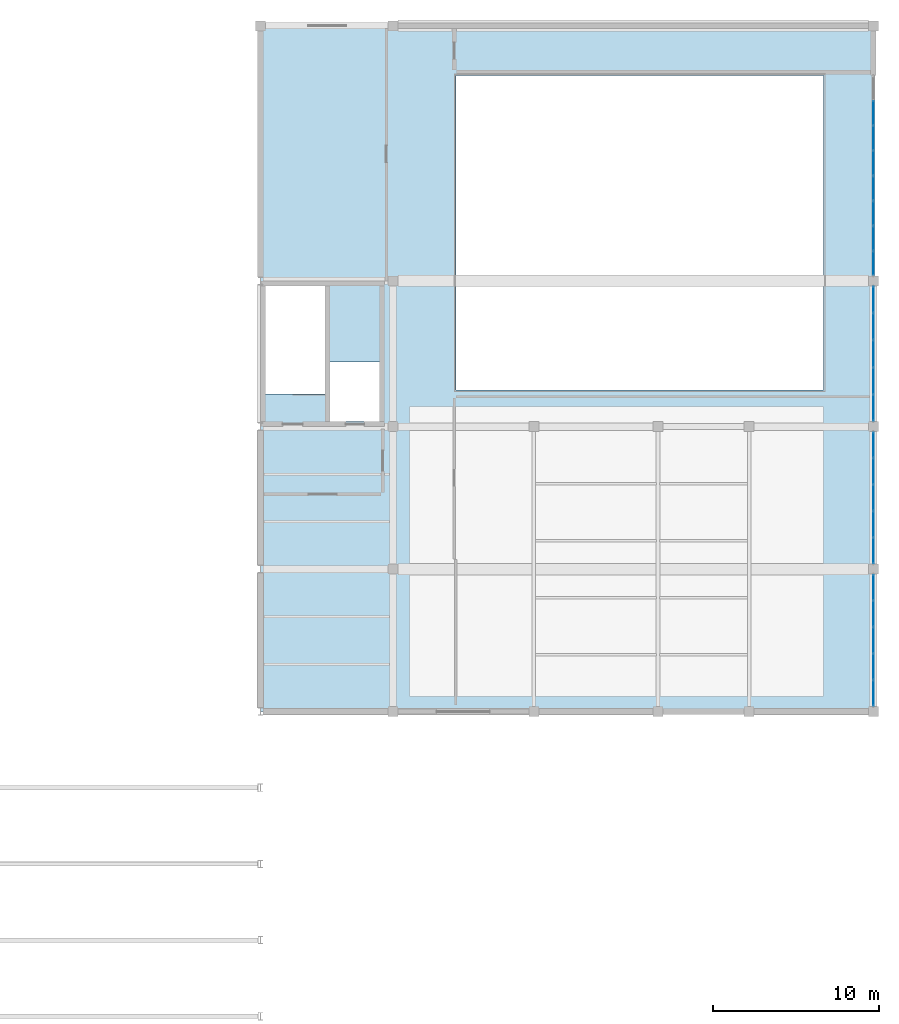
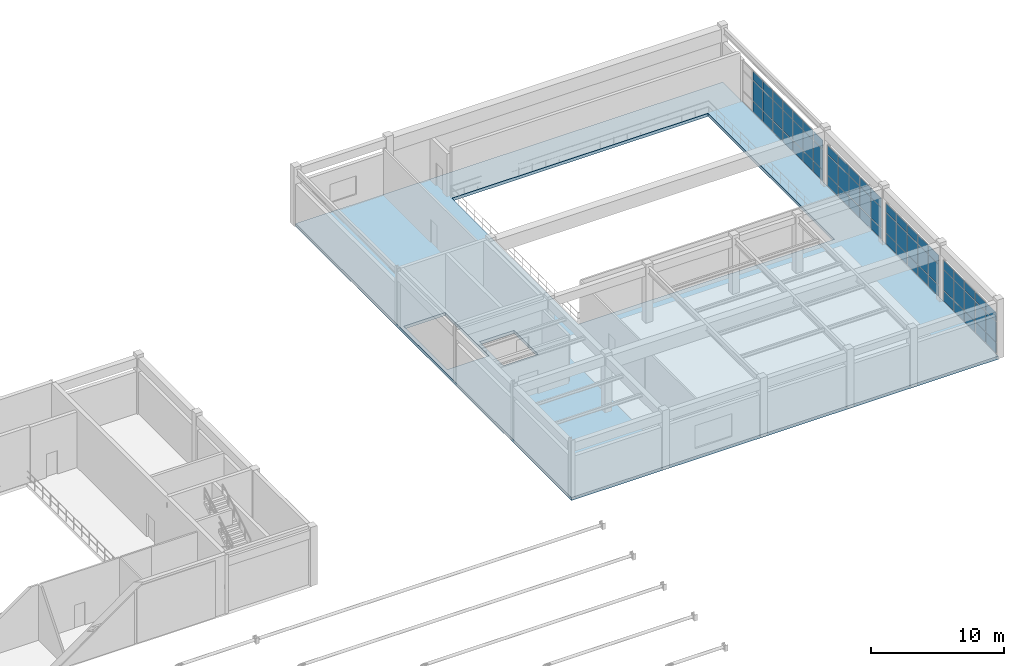
# One storey, part 21 of 38: 66 plates, 1 slab, 4 elements without a shape of their own.
"""IFC4 building model written with IfcOpenShell, lengths in metres."""

from ifc_helpers import new_model, si_unit, direction, frame, origin, origin_2d, place, context, subcontext, project, spatial, polyline, rectangle, outline, extrude, material, layer, layer_set, type_object, element, aggregate, save


model = new_model("IFC4")

# Units and contexts
model_context = context("Model", 3, precision=1e-05, world=origin(), true_north=direction((0.0, 1.0)))
body_context = subcontext(model_context, "Body", "Model", "MODEL_VIEW")
ifc_project = project(units=[si_unit("LENGTHUNIT", "METRE"), si_unit("AREAUNIT", "SQUARE_METRE"), si_unit("VOLUMEUNIT", "CUBIC_METRE"), si_unit("PLANEANGLEUNIT", "RADIAN"), si_unit("MASSUNIT", "GRAM", prefix="KILO")], contexts=[model_context])

# Site, building, storey
site_placement = place(None, origin())
site = spatial("IfcSite", under=ifc_project, at=site_placement, CompositionType="ELEMENT")
building_placement = place(site_placement, origin())
building = spatial("IfcBuilding", under=site, at=building_placement, Name="Muzn Square Opera House", CompositionType="ELEMENT")
storey_placement = place(building_placement, frame((0.0, 0.0, 18.0)))
storey = spatial("IfcBuildingStorey", under=building, at=storey_placement, Name="L04", CompositionType="ELEMENT", Elevation=18.0)

# Curtain wall, plates
ifc_material_1 = material(Name="Low-E laminated acoustic double glazing", Category="glass")
ifc_layer_1 = layer(ifc_material_1, 0.159912109375, Name="Low-E laminated acoustic double glazing", Category="glass")
ifc_layer_set_1 = layer_set([ifc_layer_1], Name="Low-E laminated acoustic double glazing")
curtain_wall_type_1 = type_object("IfcCurtainWallType", Name="Glazed Curtain Wall RehearsalEast 8000x3850", PredefinedType="USERDEFINED", material=ifc_layer_set_1)
curtain_wall_1_placement = place(storey_placement, origin())
curtain_wall_1 = element("IfcCurtainWall", 1, at=curtain_wall_1_placement, inside=storey, type_object=curtain_wall_type_1, Name="Glazed Curtain Wall CW-L04-130", ObjectType="GLAZED CURTAIN WALL", PredefinedType="USERDEFINED")
ifc_layer_2 = layer(ifc_material_1, 0.028076171875, Name="Low-E laminated acoustic double glazing", Category="glass")
ifc_layer_set_2 = layer_set([ifc_layer_2], Name="Low-E laminated acoustic double glazing")
plate_type = type_object("IfcPlateType", Name="Curtain Wall Acoustic Glazed Panel 28mm", PredefinedType="CURTAIN_PANEL", material=ifc_layer_set_2)
plate_1_placement = place(storey_placement, frame((170.0, 73.715087890625, 0.06005859375), z_axis=(0.0, 0.0, 1.0), x_axis=(0.0, 1.0, 0.0)))
plate_1 = element("IfcPlate", 2, at=plate_1_placement, type_object=plate_type, Name="CW-RHE-80x38 panel 1.1", PredefinedType="CURTAIN_PANEL", context=body_context, shape_type="SweptSolid", body=[
    extrude(rectangle(XDim=1.510009765625, YDim=0.028076171875, at=origin_2d()), origin(), (0.0, 0.0, 1.0), 0.9599609375),
])
plate_2_placement = place(storey_placement, frame((170.0, 73.715087890625, 1.080078125), z_axis=(0.0, 0.0, 1.0), x_axis=(0.0, 1.0, 0.0)))
plate_2 = element("IfcPlate", 3, at=plate_2_placement, type_object=plate_type, Name="CW-RHE-80x38 panel 1.2", PredefinedType="CURTAIN_PANEL", context=body_context, shape_type="SweptSolid", body=[
    extrude(rectangle(XDim=1.510009765625, YDim=0.028076171875, at=origin_2d()), origin(), (0.0, 0.0, 1.0), 1.840087890625),
])
plate_3_placement = place(storey_placement, frame((170.0, 73.715087890625, 2.97998046875), z_axis=(0.0, 0.0, 1.0), x_axis=(0.0, 1.0, 0.0)))
plate_3 = element("IfcPlate", 4, at=plate_3_placement, type_object=plate_type, Name="CW-RHE-80x38 panel 1.3", PredefinedType="CURTAIN_PANEL", context=body_context, shape_type="SweptSolid", body=[
    extrude(rectangle(XDim=1.510009765625, YDim=0.028076171875, at=origin_2d()), origin(), (0.0, 0.0, 1.0), 0.81005859375),
])
plate_4_placement = place(storey_placement, frame((170.0, 75.300048828125, 0.06005859375), z_axis=(0.0, 0.0, 1.0), x_axis=(0.0, 1.0, 0.0)))
plate_4 = element("IfcPlate", 5, at=plate_4_placement, type_object=plate_type, Name="CW-RHE-80x38 panel 2.1", PredefinedType="CURTAIN_PANEL", context=body_context, shape_type="SweptSolid", body=[
    extrude(rectangle(XDim=1.5400390625, YDim=0.028076171875, at=origin_2d()), origin(), (0.0, 0.0, 1.0), 0.9599609375),
])
plate_5_placement = place(storey_placement, frame((170.0, 75.300048828125, 1.080078125), z_axis=(0.0, 0.0, 1.0), x_axis=(0.0, 1.0, 0.0)))
plate_5 = element("IfcPlate", 6, at=plate_5_placement, type_object=plate_type, Name="CW-RHE-80x38 panel 2.2", PredefinedType="CURTAIN_PANEL", context=body_context, shape_type="SweptSolid", body=[
    extrude(rectangle(XDim=1.5400390625, YDim=0.028076171875, at=origin_2d()), origin(), (0.0, 0.0, 1.0), 1.840087890625),
])
plate_6_placement = place(storey_placement, frame((170.0, 75.300048828125, 2.97998046875), z_axis=(0.0, 0.0, 1.0), x_axis=(0.0, 1.0, 0.0)))
plate_6 = element("IfcPlate", 7, at=plate_6_placement, type_object=plate_type, Name="CW-RHE-80x38 panel 2.3", PredefinedType="CURTAIN_PANEL", context=body_context, shape_type="SweptSolid", body=[
    extrude(rectangle(XDim=1.5400390625, YDim=0.028076171875, at=origin_2d()), origin(), (0.0, 0.0, 1.0), 0.81005859375),
])
plate_7_placement = place(storey_placement, frame((170.0, 76.89990234375, 0.06005859375), z_axis=(0.0, 0.0, 1.0), x_axis=(0.0, 1.0, 0.0)))
plate_7 = element("IfcPlate", 8, at=plate_7_placement, type_object=plate_type, Name="CW-RHE-80x38 panel 3.1", PredefinedType="CURTAIN_PANEL", context=body_context, shape_type="SweptSolid", body=[
    extrude(rectangle(XDim=1.5400390625, YDim=0.028076171875, at=origin_2d()), origin(), (0.0, 0.0, 1.0), 0.9599609375),
])
plate_8_placement = place(storey_placement, frame((170.0, 76.89990234375, 1.080078125), z_axis=(0.0, 0.0, 1.0), x_axis=(0.0, 1.0, 0.0)))
plate_8 = element("IfcPlate", 9, at=plate_8_placement, type_object=plate_type, Name="CW-RHE-80x38 panel 3.2", PredefinedType="CURTAIN_PANEL", context=body_context, shape_type="SweptSolid", body=[
    extrude(rectangle(XDim=1.5400390625, YDim=0.028076171875, at=origin_2d()), origin(), (0.0, 0.0, 1.0), 1.840087890625),
])
plate_9_placement = place(storey_placement, frame((170.0, 76.89990234375, 2.97998046875), z_axis=(0.0, 0.0, 1.0), x_axis=(0.0, 1.0, 0.0)))
plate_9 = element("IfcPlate", 10, at=plate_9_placement, type_object=plate_type, Name="CW-RHE-80x38 panel 3.3", PredefinedType="CURTAIN_PANEL", context=body_context, shape_type="SweptSolid", body=[
    extrude(rectangle(XDim=1.5400390625, YDim=0.028076171875, at=origin_2d()), origin(), (0.0, 0.0, 1.0), 0.81005859375),
])
plate_10_placement = place(storey_placement, frame((170.0, 78.5, 0.06005859375), z_axis=(0.0, 0.0, 1.0), x_axis=(0.0, 1.0, 0.0)))
plate_10 = element("IfcPlate", 11, at=plate_10_placement, type_object=plate_type, Name="CW-RHE-80x38 panel 4.1", PredefinedType="CURTAIN_PANEL", context=body_context, shape_type="SweptSolid", body=[
    extrude(rectangle(XDim=1.5400390625, YDim=0.028076171875, at=origin_2d()), origin(), (0.0, 0.0, 1.0), 0.9599609375),
])
plate_11_placement = place(storey_placement, frame((170.0, 78.5, 1.080078125), z_axis=(0.0, 0.0, 1.0), x_axis=(0.0, 1.0, 0.0)))
plate_11 = element("IfcPlate", 12, at=plate_11_placement, type_object=plate_type, Name="CW-RHE-80x38 panel 4.2", PredefinedType="CURTAIN_PANEL", context=body_context, shape_type="SweptSolid", body=[
    extrude(rectangle(XDim=1.5400390625, YDim=0.028076171875, at=origin_2d()), origin(), (0.0, 0.0, 1.0), 1.840087890625),
])
plate_12_placement = place(storey_placement, frame((170.0, 78.5, 2.97998046875), z_axis=(0.0, 0.0, 1.0), x_axis=(0.0, 1.0, 0.0)))
plate_12 = element("IfcPlate", 13, at=plate_12_placement, type_object=plate_type, Name="CW-RHE-80x38 panel 4.3", PredefinedType="CURTAIN_PANEL", context=body_context, shape_type="SweptSolid", body=[
    extrude(rectangle(XDim=1.5400390625, YDim=0.028076171875, at=origin_2d()), origin(), (0.0, 0.0, 1.0), 0.81005859375),
])
plate_13_placement = place(storey_placement, frame((170.0, 80.0849609375, 0.06005859375), z_axis=(0.0, 0.0, 1.0), x_axis=(0.0, 1.0, 0.0)))
plate_13 = element("IfcPlate", 14, at=plate_13_placement, type_object=plate_type, Name="CW-RHE-80x38 panel 5.1", PredefinedType="CURTAIN_PANEL", context=body_context, shape_type="SweptSolid", body=[
    extrude(rectangle(XDim=1.510009765625, YDim=0.028076171875, at=origin_2d()), origin(), (0.0, 0.0, 1.0), 0.9599609375),
])
plate_14_placement = place(storey_placement, frame((170.0, 80.0849609375, 1.080078125), z_axis=(0.0, 0.0, 1.0), x_axis=(0.0, 1.0, 0.0)))
plate_14 = element("IfcPlate", 15, at=plate_14_placement, type_object=plate_type, Name="CW-RHE-80x38 panel 5.2", PredefinedType="CURTAIN_PANEL", context=body_context, shape_type="SweptSolid", body=[
    extrude(rectangle(XDim=1.510009765625, YDim=0.028076171875, at=origin_2d()), origin(), (0.0, 0.0, 1.0), 1.840087890625),
])
plate_15_placement = place(storey_placement, frame((170.0, 80.0849609375, 2.97998046875), z_axis=(0.0, 0.0, 1.0), x_axis=(0.0, 1.0, 0.0)))
plate_15 = element("IfcPlate", 16, at=plate_15_placement, type_object=plate_type, Name="CW-RHE-80x38 panel 5.3", PredefinedType="CURTAIN_PANEL", context=body_context, shape_type="SweptSolid", body=[
    extrude(rectangle(XDim=1.510009765625, YDim=0.028076171875, at=origin_2d()), origin(), (0.0, 0.0, 1.0), 0.81005859375),
])
aggregate(curtain_wall_1, [plate_1, plate_2, plate_3, plate_4, plate_5, plate_6, plate_7, plate_8, plate_9, plate_10, plate_11, plate_12, plate_13, plate_14, plate_15])

curtain_wall_2_placement = place(storey_placement, origin())
curtain_wall_2 = element("IfcCurtainWall", 17, at=curtain_wall_2_placement, inside=storey, type_object=curtain_wall_type_1, Name="Glazed Curtain Wall CW-L04-131", ObjectType="GLAZED CURTAIN WALL", PredefinedType="USERDEFINED")
plate_16_placement = place(storey_placement, frame((170.0, 82.31494140625, 0.06005859375), z_axis=(0.0, 0.0, 1.0), x_axis=(0.0, 1.0, 0.0)))
plate_16 = element("IfcPlate", 18, at=plate_16_placement, type_object=plate_type, Name="CW-RHE-80x38 panel 1.1", PredefinedType="CURTAIN_PANEL", context=body_context, shape_type="SweptSolid", body=[
    extrude(rectangle(XDim=1.510009765625, YDim=0.028076171875, at=origin_2d()), origin(), (0.0, 0.0, 1.0), 0.9599609375),
])
plate_17_placement = place(storey_placement, frame((170.0, 82.31494140625, 1.080078125), z_axis=(0.0, 0.0, 1.0), x_axis=(0.0, 1.0, 0.0)))
plate_17 = element("IfcPlate", 19, at=plate_17_placement, type_object=plate_type, Name="CW-RHE-80x38 panel 1.2", PredefinedType="CURTAIN_PANEL", context=body_context, shape_type="SweptSolid", body=[
    extrude(rectangle(XDim=1.510009765625, YDim=0.028076171875, at=origin_2d()), origin(), (0.0, 0.0, 1.0), 1.840087890625),
])
plate_18_placement = place(storey_placement, frame((170.0, 82.31494140625, 2.97998046875), z_axis=(0.0, 0.0, 1.0), x_axis=(0.0, 1.0, 0.0)))
plate_18 = element("IfcPlate", 20, at=plate_18_placement, type_object=plate_type, Name="CW-RHE-80x38 panel 1.3", PredefinedType="CURTAIN_PANEL", context=body_context, shape_type="SweptSolid", body=[
    extrude(rectangle(XDim=1.510009765625, YDim=0.028076171875, at=origin_2d()), origin(), (0.0, 0.0, 1.0), 0.81005859375),
])
plate_19_placement = place(storey_placement, frame((170.0, 83.89990234375, 0.06005859375), z_axis=(0.0, 0.0, 1.0), x_axis=(0.0, 1.0, 0.0)))
plate_19 = element("IfcPlate", 21, at=plate_19_placement, type_object=plate_type, Name="CW-RHE-80x38 panel 2.1", PredefinedType="CURTAIN_PANEL", context=body_context, shape_type="SweptSolid", body=[
    extrude(rectangle(XDim=1.5400390625, YDim=0.028076171875, at=origin_2d()), origin(), (0.0, 0.0, 1.0), 0.9599609375),
])
plate_20_placement = place(storey_placement, frame((170.0, 83.89990234375, 1.080078125), z_axis=(0.0, 0.0, 1.0), x_axis=(0.0, 1.0, 0.0)))
plate_20 = element("IfcPlate", 22, at=plate_20_placement, type_object=plate_type, Name="CW-RHE-80x38 panel 2.2", PredefinedType="CURTAIN_PANEL", context=body_context, shape_type="SweptSolid", body=[
    extrude(rectangle(XDim=1.5400390625, YDim=0.028076171875, at=origin_2d()), origin(), (0.0, 0.0, 1.0), 1.840087890625),
])
plate_21_placement = place(storey_placement, frame((170.0, 83.89990234375, 2.97998046875), z_axis=(0.0, 0.0, 1.0), x_axis=(0.0, 1.0, 0.0)))
plate_21 = element("IfcPlate", 23, at=plate_21_placement, type_object=plate_type, Name="CW-RHE-80x38 panel 2.3", PredefinedType="CURTAIN_PANEL", context=body_context, shape_type="SweptSolid", body=[
    extrude(rectangle(XDim=1.5400390625, YDim=0.028076171875, at=origin_2d()), origin(), (0.0, 0.0, 1.0), 0.81005859375),
])
plate_22_placement = place(storey_placement, frame((170.0, 85.5, 0.06005859375), z_axis=(0.0, 0.0, 1.0), x_axis=(0.0, 1.0, 0.0)))
plate_22 = element("IfcPlate", 24, at=plate_22_placement, type_object=plate_type, Name="CW-RHE-80x38 panel 3.1", PredefinedType="CURTAIN_PANEL", context=body_context, shape_type="SweptSolid", body=[
    extrude(rectangle(XDim=1.5400390625, YDim=0.028076171875, at=origin_2d()), origin(), (0.0, 0.0, 1.0), 0.9599609375),
])
plate_23_placement = place(storey_placement, frame((170.0, 85.5, 1.080078125), z_axis=(0.0, 0.0, 1.0), x_axis=(0.0, 1.0, 0.0)))
plate_23 = element("IfcPlate", 25, at=plate_23_placement, type_object=plate_type, Name="CW-RHE-80x38 panel 3.2", PredefinedType="CURTAIN_PANEL", context=body_context, shape_type="SweptSolid", body=[
    extrude(rectangle(XDim=1.5400390625, YDim=0.028076171875, at=origin_2d()), origin(), (0.0, 0.0, 1.0), 1.840087890625),
])
plate_24_placement = place(storey_placement, frame((170.0, 85.5, 2.97998046875), z_axis=(0.0, 0.0, 1.0), x_axis=(0.0, 1.0, 0.0)))
plate_24 = element("IfcPlate", 26, at=plate_24_placement, type_object=plate_type, Name="CW-RHE-80x38 panel 3.3", PredefinedType="CURTAIN_PANEL", context=body_context, shape_type="SweptSolid", body=[
    extrude(rectangle(XDim=1.5400390625, YDim=0.028076171875, at=origin_2d()), origin(), (0.0, 0.0, 1.0), 0.81005859375),
])
plate_25_placement = place(storey_placement, frame((170.0, 87.10009765625, 0.06005859375), z_axis=(0.0, 0.0, 1.0), x_axis=(0.0, 1.0, 0.0)))
plate_25 = element("IfcPlate", 27, at=plate_25_placement, type_object=plate_type, Name="CW-RHE-80x38 panel 4.1", PredefinedType="CURTAIN_PANEL", context=body_context, shape_type="SweptSolid", body=[
    extrude(rectangle(XDim=1.5400390625, YDim=0.028076171875, at=origin_2d()), origin(), (0.0, 0.0, 1.0), 0.9599609375),
])
plate_26_placement = place(storey_placement, frame((170.0, 87.10009765625, 1.080078125), z_axis=(0.0, 0.0, 1.0), x_axis=(0.0, 1.0, 0.0)))
plate_26 = element("IfcPlate", 28, at=plate_26_placement, type_object=plate_type, Name="CW-RHE-80x38 panel 4.2", PredefinedType="CURTAIN_PANEL", context=body_context, shape_type="SweptSolid", body=[
    extrude(rectangle(XDim=1.5400390625, YDim=0.028076171875, at=origin_2d()), origin(), (0.0, 0.0, 1.0), 1.840087890625),
])
plate_27_placement = place(storey_placement, frame((170.0, 87.10009765625, 2.97998046875), z_axis=(0.0, 0.0, 1.0), x_axis=(0.0, 1.0, 0.0)))
plate_27 = element("IfcPlate", 29, at=plate_27_placement, type_object=plate_type, Name="CW-RHE-80x38 panel 4.3", PredefinedType="CURTAIN_PANEL", context=body_context, shape_type="SweptSolid", body=[
    extrude(rectangle(XDim=1.5400390625, YDim=0.028076171875, at=origin_2d()), origin(), (0.0, 0.0, 1.0), 0.81005859375),
])
plate_28_placement = place(storey_placement, frame((170.0, 88.68505859375, 0.06005859375), z_axis=(0.0, 0.0, 1.0), x_axis=(0.0, 1.0, 0.0)))
plate_28 = element("IfcPlate", 30, at=plate_28_placement, type_object=plate_type, Name="CW-RHE-80x38 panel 5.1", PredefinedType="CURTAIN_PANEL", context=body_context, shape_type="SweptSolid", body=[
    extrude(rectangle(XDim=1.510009765625, YDim=0.028076171875, at=origin_2d()), origin(), (0.0, 0.0, 1.0), 0.9599609375),
])
plate_29_placement = place(storey_placement, frame((170.0, 88.68505859375, 1.080078125), z_axis=(0.0, 0.0, 1.0), x_axis=(0.0, 1.0, 0.0)))
plate_29 = element("IfcPlate", 31, at=plate_29_placement, type_object=plate_type, Name="CW-RHE-80x38 panel 5.2", PredefinedType="CURTAIN_PANEL", context=body_context, shape_type="SweptSolid", body=[
    extrude(rectangle(XDim=1.510009765625, YDim=0.028076171875, at=origin_2d()), origin(), (0.0, 0.0, 1.0), 1.840087890625),
])
plate_30_placement = place(storey_placement, frame((170.0, 88.68505859375, 2.97998046875), z_axis=(0.0, 0.0, 1.0), x_axis=(0.0, 1.0, 0.0)))
plate_30 = element("IfcPlate", 32, at=plate_30_placement, type_object=plate_type, Name="CW-RHE-80x38 panel 5.3", PredefinedType="CURTAIN_PANEL", context=body_context, shape_type="SweptSolid", body=[
    extrude(rectangle(XDim=1.510009765625, YDim=0.028076171875, at=origin_2d()), origin(), (0.0, 0.0, 1.0), 0.81005859375),
])
aggregate(curtain_wall_2, [plate_16, plate_17, plate_18, plate_19, plate_20, plate_21, plate_22, plate_23, plate_24, plate_25, plate_26, plate_27, plate_28, plate_29, plate_30])

ifc_layer_3 = layer(ifc_material_1, 0.159912109375, Name="Low-E laminated acoustic double glazing", Category="glass")
ifc_layer_set_3 = layer_set([ifc_layer_3], Name="Low-E laminated acoustic double glazing")
curtain_wall_type_2 = type_object("IfcCurtainWallType", Name="Glazed Curtain Wall RehearsalEast 8200x3850", PredefinedType="USERDEFINED", material=ifc_layer_set_3)
curtain_wall_3_placement = place(storey_placement, origin())
curtain_wall_3 = element("IfcCurtainWall", 33, at=curtain_wall_3_placement, inside=storey, type_object=curtain_wall_type_2, Name="Glazed Curtain Wall CW-L04-132", ObjectType="GLAZED CURTAIN WALL", PredefinedType="USERDEFINED")
plate_31_placement = place(storey_placement, frame((170.0, 90.93505859375, 0.06005859375), z_axis=(0.0, 0.0, 1.0), x_axis=(0.0, 1.0, 0.0)))
plate_31 = element("IfcPlate", 34, at=plate_31_placement, type_object=plate_type, Name="CW-RHE-82x38 panel 1.1", PredefinedType="CURTAIN_PANEL", context=body_context, shape_type="SweptSolid", body=[
    extrude(rectangle(XDim=1.550048828125, YDim=0.028076171875, at=origin_2d()), origin(), (0.0, 0.0, 1.0), 0.9599609375),
])
plate_32_placement = place(storey_placement, frame((170.0, 90.93505859375, 1.080078125), z_axis=(0.0, 0.0, 1.0), x_axis=(0.0, 1.0, 0.0)))
plate_32 = element("IfcPlate", 35, at=plate_32_placement, type_object=plate_type, Name="CW-RHE-82x38 panel 1.2", PredefinedType="CURTAIN_PANEL", context=body_context, shape_type="SweptSolid", body=[
    extrude(rectangle(XDim=1.550048828125, YDim=0.028076171875, at=origin_2d()), origin(), (0.0, 0.0, 1.0), 1.840087890625),
])
plate_33_placement = place(storey_placement, frame((170.0, 90.93505859375, 2.97998046875), z_axis=(0.0, 0.0, 1.0), x_axis=(0.0, 1.0, 0.0)))
plate_33 = element("IfcPlate", 36, at=plate_33_placement, type_object=plate_type, Name="CW-RHE-82x38 panel 1.3", PredefinedType="CURTAIN_PANEL", context=body_context, shape_type="SweptSolid", body=[
    extrude(rectangle(XDim=1.550048828125, YDim=0.028076171875, at=origin_2d()), origin(), (0.0, 0.0, 1.0), 0.81005859375),
])
plate_34_placement = place(storey_placement, frame((170.0, 92.56005859375, 0.06005859375), z_axis=(0.0, 0.0, 1.0), x_axis=(0.0, 1.0, 0.0)))
plate_34 = element("IfcPlate", 37, at=plate_34_placement, type_object=plate_type, Name="CW-RHE-82x38 panel 2.1", PredefinedType="CURTAIN_PANEL", context=body_context, shape_type="SweptSolid", body=[
    extrude(rectangle(XDim=1.580078125, YDim=0.028076171875, at=origin_2d()), origin(), (0.0, 0.0, 1.0), 0.9599609375),
])
plate_35_placement = place(storey_placement, frame((170.0, 92.56005859375, 1.080078125), z_axis=(0.0, 0.0, 1.0), x_axis=(0.0, 1.0, 0.0)))
plate_35 = element("IfcPlate", 38, at=plate_35_placement, type_object=plate_type, Name="CW-RHE-82x38 panel 2.2", PredefinedType="CURTAIN_PANEL", context=body_context, shape_type="SweptSolid", body=[
    extrude(rectangle(XDim=1.580078125, YDim=0.028076171875, at=origin_2d()), origin(), (0.0, 0.0, 1.0), 1.840087890625),
])
plate_36_placement = place(storey_placement, frame((170.0, 92.56005859375, 2.97998046875), z_axis=(0.0, 0.0, 1.0), x_axis=(0.0, 1.0, 0.0)))
plate_36 = element("IfcPlate", 39, at=plate_36_placement, type_object=plate_type, Name="CW-RHE-82x38 panel 2.3", PredefinedType="CURTAIN_PANEL", context=body_context, shape_type="SweptSolid", body=[
    extrude(rectangle(XDim=1.580078125, YDim=0.028076171875, at=origin_2d()), origin(), (0.0, 0.0, 1.0), 0.81005859375),
])
plate_37_placement = place(storey_placement, frame((170.0, 94.199951171875, 0.06005859375), z_axis=(0.0, 0.0, 1.0), x_axis=(0.0, 1.0, 0.0)))
plate_37 = element("IfcPlate", 40, at=plate_37_placement, type_object=plate_type, Name="CW-RHE-82x38 panel 3.1", PredefinedType="CURTAIN_PANEL", context=body_context, shape_type="SweptSolid", body=[
    extrude(rectangle(XDim=1.580078125, YDim=0.028076171875, at=origin_2d()), origin(), (0.0, 0.0, 1.0), 0.9599609375),
])
plate_38_placement = place(storey_placement, frame((170.0, 94.199951171875, 1.080078125), z_axis=(0.0, 0.0, 1.0), x_axis=(0.0, 1.0, 0.0)))
plate_38 = element("IfcPlate", 41, at=plate_38_placement, type_object=plate_type, Name="CW-RHE-82x38 panel 3.2", PredefinedType="CURTAIN_PANEL", context=body_context, shape_type="SweptSolid", body=[
    extrude(rectangle(XDim=1.580078125, YDim=0.028076171875, at=origin_2d()), origin(), (0.0, 0.0, 1.0), 1.840087890625),
])
plate_39_placement = place(storey_placement, frame((170.0, 94.199951171875, 2.97998046875), z_axis=(0.0, 0.0, 1.0), x_axis=(0.0, 1.0, 0.0)))
plate_39 = element("IfcPlate", 42, at=plate_39_placement, type_object=plate_type, Name="CW-RHE-82x38 panel 3.3", PredefinedType="CURTAIN_PANEL", context=body_context, shape_type="SweptSolid", body=[
    extrude(rectangle(XDim=1.580078125, YDim=0.028076171875, at=origin_2d()), origin(), (0.0, 0.0, 1.0), 0.81005859375),
])
plate_40_placement = place(storey_placement, frame((170.0, 95.840087890625, 0.06005859375), z_axis=(0.0, 0.0, 1.0), x_axis=(0.0, 1.0, 0.0)))
plate_40 = element("IfcPlate", 43, at=plate_40_placement, type_object=plate_type, Name="CW-RHE-82x38 panel 4.1", PredefinedType="CURTAIN_PANEL", context=body_context, shape_type="SweptSolid", body=[
    extrude(rectangle(XDim=1.580078125, YDim=0.028076171875, at=origin_2d()), origin(), (0.0, 0.0, 1.0), 0.9599609375),
])
plate_41_placement = place(storey_placement, frame((170.0, 95.840087890625, 1.080078125), z_axis=(0.0, 0.0, 1.0), x_axis=(0.0, 1.0, 0.0)))
plate_41 = element("IfcPlate", 44, at=plate_41_placement, type_object=plate_type, Name="CW-RHE-82x38 panel 4.2", PredefinedType="CURTAIN_PANEL", context=body_context, shape_type="SweptSolid", body=[
    extrude(rectangle(XDim=1.580078125, YDim=0.028076171875, at=origin_2d()), origin(), (0.0, 0.0, 1.0), 1.840087890625),
])
plate_42_placement = place(storey_placement, frame((170.0, 95.840087890625, 2.97998046875), z_axis=(0.0, 0.0, 1.0), x_axis=(0.0, 1.0, 0.0)))
plate_42 = element("IfcPlate", 45, at=plate_42_placement, type_object=plate_type, Name="CW-RHE-82x38 panel 4.3", PredefinedType="CURTAIN_PANEL", context=body_context, shape_type="SweptSolid", body=[
    extrude(rectangle(XDim=1.580078125, YDim=0.028076171875, at=origin_2d()), origin(), (0.0, 0.0, 1.0), 0.81005859375),
])
plate_43_placement = place(storey_placement, frame((170.0, 97.465087890625, 0.06005859375), z_axis=(0.0, 0.0, 1.0), x_axis=(0.0, 1.0, 0.0)))
plate_43 = element("IfcPlate", 46, at=plate_43_placement, type_object=plate_type, Name="CW-RHE-82x38 panel 5.1", PredefinedType="CURTAIN_PANEL", context=body_context, shape_type="SweptSolid", body=[
    extrude(rectangle(XDim=1.550048828125, YDim=0.028076171875, at=origin_2d()), origin(), (0.0, 0.0, 1.0), 0.9599609375),
])
plate_44_placement = place(storey_placement, frame((170.0, 97.465087890625, 1.080078125), z_axis=(0.0, 0.0, 1.0), x_axis=(0.0, 1.0, 0.0)))
plate_44 = element("IfcPlate", 47, at=plate_44_placement, type_object=plate_type, Name="CW-RHE-82x38 panel 5.2", PredefinedType="CURTAIN_PANEL", context=body_context, shape_type="SweptSolid", body=[
    extrude(rectangle(XDim=1.550048828125, YDim=0.028076171875, at=origin_2d()), origin(), (0.0, 0.0, 1.0), 1.840087890625),
])
plate_45_placement = place(storey_placement, frame((170.0, 97.465087890625, 2.97998046875), z_axis=(0.0, 0.0, 1.0), x_axis=(0.0, 1.0, 0.0)))
plate_45 = element("IfcPlate", 48, at=plate_45_placement, type_object=plate_type, Name="CW-RHE-82x38 panel 5.3", PredefinedType="CURTAIN_PANEL", context=body_context, shape_type="SweptSolid", body=[
    extrude(rectangle(XDim=1.550048828125, YDim=0.028076171875, at=origin_2d()), origin(), (0.0, 0.0, 1.0), 0.81005859375),
])
aggregate(curtain_wall_3, [plate_31, plate_32, plate_33, plate_34, plate_35, plate_36, plate_37, plate_38, plate_39, plate_40, plate_41, plate_42, plate_43, plate_44, plate_45])

ifc_layer_4 = layer(ifc_material_1, 0.159912109375, Name="Low-E laminated acoustic double glazing", Category="glass")
ifc_layer_set_4 = layer_set([ifc_layer_4], Name="Low-E laminated acoustic double glazing")
curtain_wall_type_3 = type_object("IfcCurtainWallType", Name="Glazed Curtain Wall RehearsalEast 12100x3850", PredefinedType="USERDEFINED", material=ifc_layer_set_4)
curtain_wall_4_placement = place(storey_placement, origin())
curtain_wall_4 = element("IfcCurtainWall", 49, at=curtain_wall_4_placement, inside=storey, type_object=curtain_wall_type_3, Name="Glazed Curtain Wall CW-L04-133", ObjectType="GLAZED CURTAIN WALL", PredefinedType="USERDEFINED")
plate_46_placement = place(storey_placement, frame((170.0, 99.671142578125, 0.06005859375), z_axis=(0.0, 0.0, 1.0), x_axis=(0.0, 1.0, 0.0)))
plate_46 = element("IfcPlate", 50, at=plate_46_placement, type_object=plate_type, Name="CW-RHE-121x38 panel 1.1", PredefinedType="CURTAIN_PANEL", context=body_context, shape_type="SweptSolid", body=[
    extrude(rectangle(XDim=1.422607421875, YDim=0.028076171875, at=origin_2d()), origin(), (0.0, 0.0, 1.0), 0.9599609375),
])
plate_47_placement = place(storey_placement, frame((170.0, 99.671142578125, 1.080078125), z_axis=(0.0, 0.0, 1.0), x_axis=(0.0, 1.0, 0.0)))
plate_47 = element("IfcPlate", 51, at=plate_47_placement, type_object=plate_type, Name="CW-RHE-121x38 panel 1.2", PredefinedType="CURTAIN_PANEL", context=body_context, shape_type="SweptSolid", body=[
    extrude(rectangle(XDim=1.422607421875, YDim=0.028076171875, at=origin_2d()), origin(), (0.0, 0.0, 1.0), 1.840087890625),
])
plate_48_placement = place(storey_placement, frame((170.0, 99.671142578125, 2.97998046875), z_axis=(0.0, 0.0, 1.0), x_axis=(0.0, 1.0, 0.0)))
plate_48 = element("IfcPlate", 52, at=plate_48_placement, type_object=plate_type, Name="CW-RHE-121x38 panel 1.3", PredefinedType="CURTAIN_PANEL", context=body_context, shape_type="SweptSolid", body=[
    extrude(rectangle(XDim=1.422607421875, YDim=0.028076171875, at=origin_2d()), origin(), (0.0, 0.0, 1.0), 0.81005859375),
])
plate_49_placement = place(storey_placement, frame((170.0, 101.168701171875, 0.06005859375), z_axis=(0.0, 0.0, 1.0), x_axis=(0.0, 1.0, 0.0)))
plate_49 = element("IfcPlate", 53, at=plate_49_placement, type_object=plate_type, Name="CW-RHE-121x38 panel 2.1", PredefinedType="CURTAIN_PANEL", context=body_context, shape_type="SweptSolid", body=[
    extrude(rectangle(XDim=1.452392578125, YDim=0.028076171875, at=origin_2d()), origin(), (0.0, 0.0, 1.0), 0.9599609375),
])
plate_50_placement = place(storey_placement, frame((170.0, 101.168701171875, 1.080078125), z_axis=(0.0, 0.0, 1.0), x_axis=(0.0, 1.0, 0.0)))
plate_50 = element("IfcPlate", 54, at=plate_50_placement, type_object=plate_type, Name="CW-RHE-121x38 panel 2.2", PredefinedType="CURTAIN_PANEL", context=body_context, shape_type="SweptSolid", body=[
    extrude(rectangle(XDim=1.452392578125, YDim=0.028076171875, at=origin_2d()), origin(), (0.0, 0.0, 1.0), 1.840087890625),
])
plate_51_placement = place(storey_placement, frame((170.0, 101.168701171875, 2.97998046875), z_axis=(0.0, 0.0, 1.0), x_axis=(0.0, 1.0, 0.0)))
plate_51 = element("IfcPlate", 55, at=plate_51_placement, type_object=plate_type, Name="CW-RHE-121x38 panel 2.3", PredefinedType="CURTAIN_PANEL", context=body_context, shape_type="SweptSolid", body=[
    extrude(rectangle(XDim=1.452392578125, YDim=0.028076171875, at=origin_2d()), origin(), (0.0, 0.0, 1.0), 0.81005859375),
])
plate_52_placement = place(storey_placement, frame((170.0, 102.68115234375, 0.06005859375), z_axis=(0.0, 0.0, 1.0), x_axis=(0.0, 1.0, 0.0)))
plate_52 = element("IfcPlate", 56, at=plate_52_placement, type_object=plate_type, Name="CW-RHE-121x38 panel 3.1", PredefinedType="CURTAIN_PANEL", context=body_context, shape_type="SweptSolid", body=[
    extrude(rectangle(XDim=1.452392578125, YDim=0.028076171875, at=origin_2d()), origin(), (0.0, 0.0, 1.0), 0.9599609375),
])
plate_53_placement = place(storey_placement, frame((170.0, 102.68115234375, 1.080078125), z_axis=(0.0, 0.0, 1.0), x_axis=(0.0, 1.0, 0.0)))
plate_53 = element("IfcPlate", 57, at=plate_53_placement, type_object=plate_type, Name="CW-RHE-121x38 panel 3.2", PredefinedType="CURTAIN_PANEL", context=body_context, shape_type="SweptSolid", body=[
    extrude(rectangle(XDim=1.452392578125, YDim=0.028076171875, at=origin_2d()), origin(), (0.0, 0.0, 1.0), 1.840087890625),
])
plate_54_placement = place(storey_placement, frame((170.0, 102.68115234375, 2.97998046875), z_axis=(0.0, 0.0, 1.0), x_axis=(0.0, 1.0, 0.0)))
plate_54 = element("IfcPlate", 58, at=plate_54_placement, type_object=plate_type, Name="CW-RHE-121x38 panel 3.3", PredefinedType="CURTAIN_PANEL", context=body_context, shape_type="SweptSolid", body=[
    extrude(rectangle(XDim=1.452392578125, YDim=0.028076171875, at=origin_2d()), origin(), (0.0, 0.0, 1.0), 0.81005859375),
])
plate_55_placement = place(storey_placement, frame((170.0, 104.19384765625, 0.06005859375), z_axis=(0.0, 0.0, 1.0), x_axis=(0.0, 1.0, 0.0)))
plate_55 = element("IfcPlate", 59, at=plate_55_placement, type_object=plate_type, Name="CW-RHE-121x38 panel 4.1", PredefinedType="CURTAIN_PANEL", context=body_context, shape_type="SweptSolid", body=[
    extrude(rectangle(XDim=1.452392578125, YDim=0.028076171875, at=origin_2d()), origin(), (0.0, 0.0, 1.0), 0.9599609375),
])
plate_56_placement = place(storey_placement, frame((170.0, 104.19384765625, 1.080078125), z_axis=(0.0, 0.0, 1.0), x_axis=(0.0, 1.0, 0.0)))
plate_56 = element("IfcPlate", 60, at=plate_56_placement, type_object=plate_type, Name="CW-RHE-121x38 panel 4.2", PredefinedType="CURTAIN_PANEL", context=body_context, shape_type="SweptSolid", body=[
    extrude(rectangle(XDim=1.452392578125, YDim=0.028076171875, at=origin_2d()), origin(), (0.0, 0.0, 1.0), 1.840087890625),
])
plate_57_placement = place(storey_placement, frame((170.0, 104.19384765625, 2.97998046875), z_axis=(0.0, 0.0, 1.0), x_axis=(0.0, 1.0, 0.0)))
plate_57 = element("IfcPlate", 61, at=plate_57_placement, type_object=plate_type, Name="CW-RHE-121x38 panel 4.3", PredefinedType="CURTAIN_PANEL", context=body_context, shape_type="SweptSolid", body=[
    extrude(rectangle(XDim=1.452392578125, YDim=0.028076171875, at=origin_2d()), origin(), (0.0, 0.0, 1.0), 0.81005859375),
])
plate_58_placement = place(storey_placement, frame((170.0, 105.706298828125, 0.06005859375), z_axis=(0.0, 0.0, 1.0), x_axis=(0.0, 1.0, 0.0)))
plate_58 = element("IfcPlate", 62, at=plate_58_placement, type_object=plate_type, Name="CW-RHE-121x38 panel 5.1", PredefinedType="CURTAIN_PANEL", context=body_context, shape_type="SweptSolid", body=[
    extrude(rectangle(XDim=1.452392578125, YDim=0.028076171875, at=origin_2d()), origin(), (0.0, 0.0, 1.0), 0.9599609375),
])
plate_59_placement = place(storey_placement, frame((170.0, 105.706298828125, 1.080078125), z_axis=(0.0, 0.0, 1.0), x_axis=(0.0, 1.0, 0.0)))
plate_59 = element("IfcPlate", 63, at=plate_59_placement, type_object=plate_type, Name="CW-RHE-121x38 panel 5.2", PredefinedType="CURTAIN_PANEL", context=body_context, shape_type="SweptSolid", body=[
    extrude(rectangle(XDim=1.452392578125, YDim=0.028076171875, at=origin_2d()), origin(), (0.0, 0.0, 1.0), 1.840087890625),
])
plate_60_placement = place(storey_placement, frame((170.0, 105.706298828125, 2.97998046875), z_axis=(0.0, 0.0, 1.0), x_axis=(0.0, 1.0, 0.0)))
plate_60 = element("IfcPlate", 64, at=plate_60_placement, type_object=plate_type, Name="CW-RHE-121x38 panel 5.3", PredefinedType="CURTAIN_PANEL", context=body_context, shape_type="SweptSolid", body=[
    extrude(rectangle(XDim=1.452392578125, YDim=0.028076171875, at=origin_2d()), origin(), (0.0, 0.0, 1.0), 0.81005859375),
])
plate_61_placement = place(storey_placement, frame((170.0, 107.21875, 0.06005859375), z_axis=(0.0, 0.0, 1.0), x_axis=(0.0, 1.0, 0.0)))
plate_61 = element("IfcPlate", 65, at=plate_61_placement, type_object=plate_type, Name="CW-RHE-121x38 panel 6.1", PredefinedType="CURTAIN_PANEL", context=body_context, shape_type="SweptSolid", body=[
    extrude(rectangle(XDim=1.452392578125, YDim=0.028076171875, at=origin_2d()), origin(), (0.0, 0.0, 1.0), 0.9599609375),
])
plate_62_placement = place(storey_placement, frame((170.0, 107.21875, 1.080078125), z_axis=(0.0, 0.0, 1.0), x_axis=(0.0, 1.0, 0.0)))
plate_62 = element("IfcPlate", 66, at=plate_62_placement, type_object=plate_type, Name="CW-RHE-121x38 panel 6.2", PredefinedType="CURTAIN_PANEL", context=body_context, shape_type="SweptSolid", body=[
    extrude(rectangle(XDim=1.452392578125, YDim=0.028076171875, at=origin_2d()), origin(), (0.0, 0.0, 1.0), 1.840087890625),
])
plate_63_placement = place(storey_placement, frame((170.0, 107.21875, 2.97998046875), z_axis=(0.0, 0.0, 1.0), x_axis=(0.0, 1.0, 0.0)))
plate_63 = element("IfcPlate", 67, at=plate_63_placement, type_object=plate_type, Name="CW-RHE-121x38 panel 6.3", PredefinedType="CURTAIN_PANEL", context=body_context, shape_type="SweptSolid", body=[
    extrude(rectangle(XDim=1.452392578125, YDim=0.028076171875, at=origin_2d()), origin(), (0.0, 0.0, 1.0), 0.81005859375),
])
plate_64_placement = place(storey_placement, frame((170.0, 108.731201171875, 0.06005859375), z_axis=(0.0, 0.0, 1.0), x_axis=(0.0, 1.0, 0.0)))
plate_64 = element("IfcPlate", 68, at=plate_64_placement, type_object=plate_type, Name="CW-RHE-121x38 panel 7.1", PredefinedType="CURTAIN_PANEL", context=body_context, shape_type="SweptSolid", body=[
    extrude(rectangle(XDim=1.452392578125, YDim=0.028076171875, at=origin_2d()), origin(), (0.0, 0.0, 1.0), 0.9599609375),
])
plate_65_placement = place(storey_placement, frame((170.0, 108.731201171875, 1.080078125), z_axis=(0.0, 0.0, 1.0), x_axis=(0.0, 1.0, 0.0)))
plate_65 = element("IfcPlate", 69, at=plate_65_placement, type_object=plate_type, Name="CW-RHE-121x38 panel 7.2", PredefinedType="CURTAIN_PANEL", context=body_context, shape_type="SweptSolid", body=[
    extrude(rectangle(XDim=1.452392578125, YDim=0.028076171875, at=origin_2d()), origin(), (0.0, 0.0, 1.0), 1.840087890625),
])
plate_66_placement = place(storey_placement, frame((170.0, 108.731201171875, 2.97998046875), z_axis=(0.0, 0.0, 1.0), x_axis=(0.0, 1.0, 0.0)))
plate_66 = element("IfcPlate", 70, at=plate_66_placement, type_object=plate_type, Name="CW-RHE-121x38 panel 7.3", PredefinedType="CURTAIN_PANEL", context=body_context, shape_type="SweptSolid", body=[
    extrude(rectangle(XDim=1.452392578125, YDim=0.028076171875, at=origin_2d()), origin(), (0.0, 0.0, 1.0), 0.81005859375),
])
aggregate(curtain_wall_4, [plate_46, plate_47, plate_48, plate_49, plate_50, plate_51, plate_52, plate_53, plate_54, plate_55, plate_56, plate_57, plate_58, plate_59, plate_60, plate_61, plate_62, plate_63, plate_64, plate_65, plate_66])

# Slab
ifc_material_2 = material(Name="Concrete C40/50", Category="concrete")
ifc_layer_5 = layer(ifc_material_2, 0.280029296875, Name="Concrete C40/50", Category="concrete")
ifc_layer_set_5 = layer_set([ifc_layer_5], Name="Concrete C40/50")
slab_type = type_object("IfcSlabType", Name="Floor Slab 280mm", PredefinedType="FLOOR", material=ifc_layer_set_5)
slab_placement = place(storey_placement, frame((0.0, 0.0, -0.280029296875)))
element("IfcSlab", 71, at=slab_placement, inside=storey, type_object=slab_type, Name="Floor Slab SLB-L04-REHPAV", PredefinedType="FLOOR", context=body_context, shape_type="SweptSolid", body=[
    extrude(outline(polyline([(133.0, 72.60009765625), (170.0, 72.60009765625), (170.0, 114.0), (133.0, 114.0), (133.0, 72.60009765625)]), holes=[polyline([(144.800048828125, 92.0), (167.0, 92.0), (167.0, 111.0), (144.800048828125, 111.0), (144.800048828125, 92.0)]), polyline([(133.300048828125, 91.76806640625), (136.89990234375, 91.76806640625), (136.89990234375, 98.300048828125), (133.300048828125, 98.300048828125), (133.300048828125, 91.76806640625)]), polyline([(137.199951171875, 90.10009765625), (140.199951171875, 90.10009765625), (140.199951171875, 93.699951171875), (137.199951171875, 93.699951171875), (137.199951171875, 90.10009765625)])]), origin(), (0.0, 0.0, 1.0), 0.280029296875),
])

save(model, "model.ifc")
